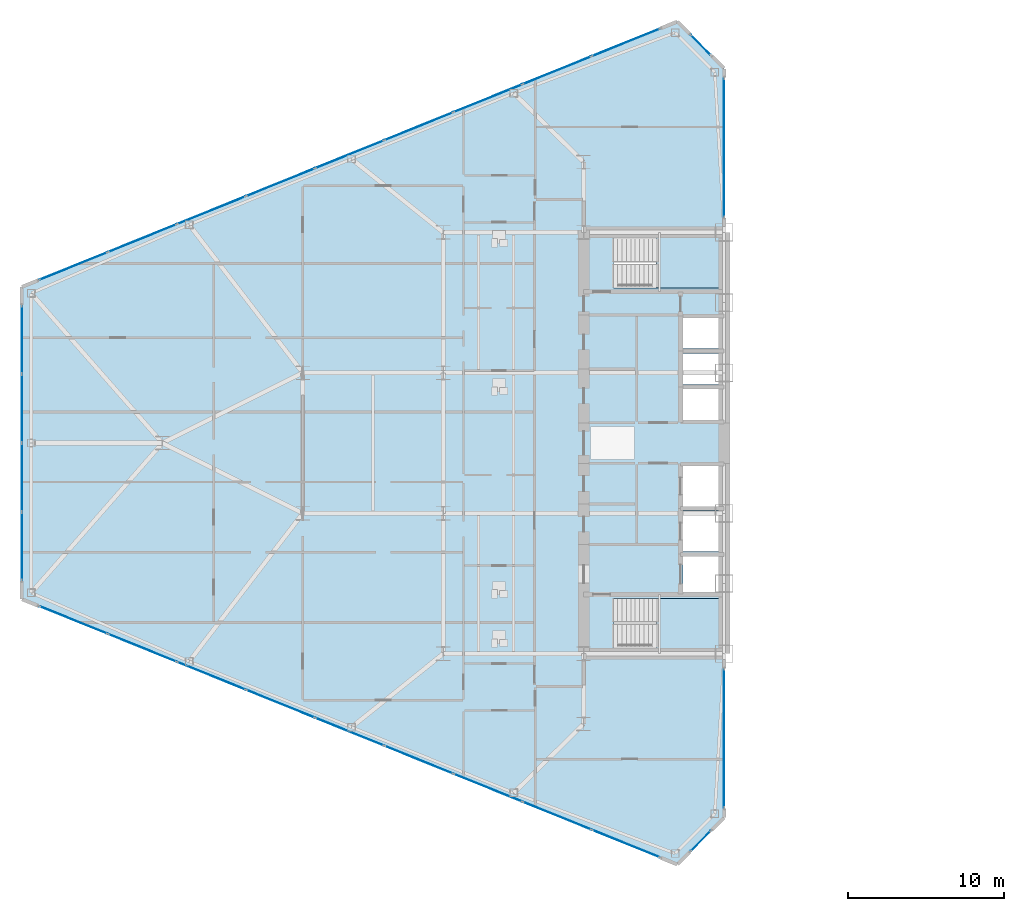
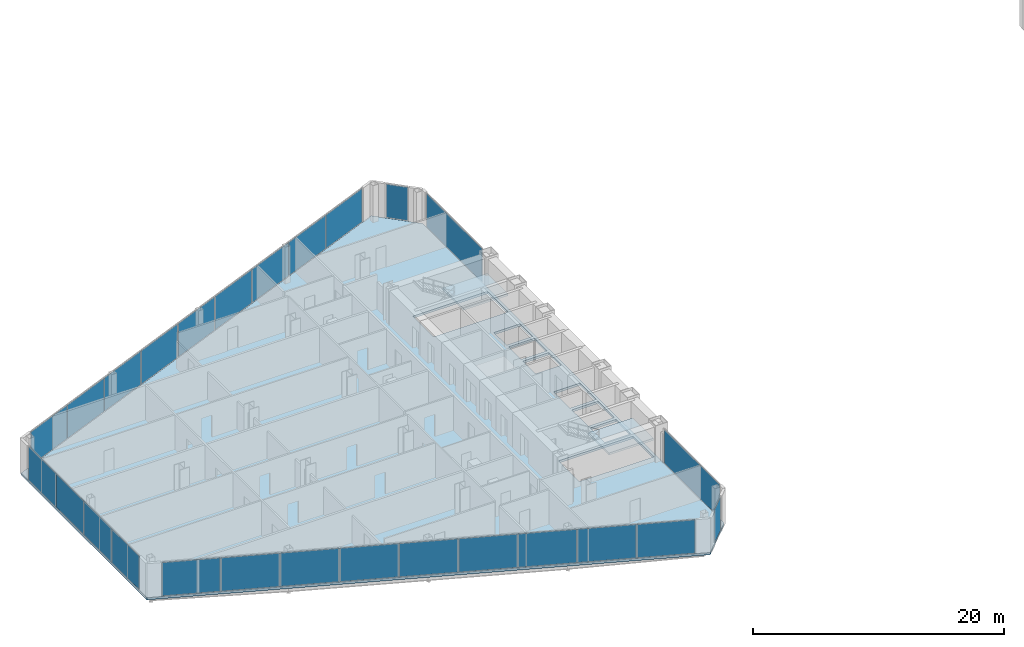
# One storey, part 15 of 25: 26 plates, 3 slabs, 9 elements without a shape of their own.
"""IFC4 building model written with IfcOpenShell, lengths in metres."""

from ifc_helpers import new_model, si_unit, direction, frame, origin, origin_2d, place, context, subcontext, project, spatial, polyline, rectangle, outline, extrude, source, transform, mapped, material, layer, layer_set, type_object, type_shapes, element, aggregate, save


model = new_model("IFC4")

# Units and contexts
model_context = context("Model", 3, precision=1e-05, world=origin(), true_north=direction((0.0, 1.0)))
body_context = subcontext(model_context, "Body", "Model", "MODEL_VIEW")
ifc_project = project(units=[si_unit("LENGTHUNIT", "METRE"), si_unit("AREAUNIT", "SQUARE_METRE"), si_unit("VOLUMEUNIT", "CUBIC_METRE"), si_unit("PLANEANGLEUNIT", "RADIAN"), si_unit("MASSUNIT", "GRAM", prefix="KILO")], contexts=[model_context])

# Site, building, storey
site_placement = place(None, origin())
site = spatial("IfcSite", under=ifc_project, at=site_placement, CompositionType="ELEMENT")
building_placement = place(site_placement, origin())
building = spatial("IfcBuilding", under=site, at=building_placement, Name="Seokmaru Belvedere", CompositionType="ELEMENT")
storey_placement = place(building_placement, frame((0.0, 0.0, 29.699951171875)))
storey = spatial("IfcBuildingStorey", under=building, at=storey_placement, Name="L07", CompositionType="ELEMENT", Elevation=29.699951171875)

# Stair, slab
ifc_material_1 = material(Name="Concrete C40 (40 MPa)", Category="concrete")
stair_type = type_object("IfcStairType", Name="Typical Tower Core Dog-Leg Stair 3600", PredefinedType="TWO_STRAIGHT_RUN_STAIR", material=ifc_material_1)
stair_1_placement = place(storey_placement, origin())
stair_1 = element("IfcStair", 1, at=stair_1_placement, inside=storey, type_object=stair_type, Name="L07 Special Escape Stair ST-W1", PredefinedType="TWO_STRAIGHT_RUN_STAIR")
ifc_layer_1 = layer(ifc_material_1, 0.199951171875)
ifc_layer_set_1 = layer_set([ifc_layer_1], Name="Concrete C40 (40 MPa)")
slab_type_1 = type_object("IfcSlabType", Name="Reinforced Concrete Stair Landing Slab 200", PredefinedType="LANDING", material=ifc_layer_set_1)
slab_1_placement = place(storey_placement, frame((0.0, 0.0, 1.60009765625)))
slab_1 = element("IfcSlab", 2, at=slab_1_placement, type_object=slab_type_1, Name="ST-W1 landing 1", PredefinedType="LANDING", context=body_context, shape_type="SweptSolid", body=[
    extrude(outline(polyline([(-31.8798828125, -13.239990234375), (-27.760009765625, -13.239990234375), (-27.760009765625, -9.949951171875), (-31.8798828125, -9.949951171875), (-31.8798828125, -13.239990234375)])), origin(), (0.0, 0.0, 1.0), 0.199951171875),
])
aggregate(stair_1, [slab_1])

stair_2_placement = place(storey_placement, origin())
stair_2 = element("IfcStair", 3, at=stair_2_placement, inside=storey, type_object=stair_type, Name="L07 Special Escape Stair ST-W2", PredefinedType="TWO_STRAIGHT_RUN_STAIR")
slab_2_placement = place(storey_placement, frame((0.0, 0.0, 1.60009765625)))
slab_2 = element("IfcSlab", 4, at=slab_2_placement, type_object=slab_type_1, Name="ST-W2 landing 1", PredefinedType="LANDING", context=body_context, shape_type="SweptSolid", body=[
    extrude(outline(polyline([(-31.8798828125, 9.949951171875), (-27.760009765625, 9.949951171875), (-27.760009765625, 13.239990234375), (-31.8798828125, 13.239990234375), (-31.8798828125, 9.949951171875)])), origin(), (0.0, 0.0, 1.0), 0.199951171875),
])
aggregate(stair_2, [slab_2])

# Slab
ifc_layer_2 = layer(ifc_material_1, 0.219970703125)
ifc_layer_set_2 = layer_set([ifc_layer_2], Name="Concrete C40 (40 MPa)")
slab_type_2 = type_object("IfcSlabType", Name="Typical Tower Composite Floor Slab 220", PredefinedType="FLOOR", material=ifc_layer_set_2)
slab_3_placement = place(storey_placement, frame((0.0, 0.0, -0.219970703125)))
element("IfcSlab", 5, at=slab_3_placement, inside=storey, type_object=slab_type_2, Name="L07 West Leg Floor Slab", PredefinedType="FLOOR", context=body_context, shape_type="SweptSolid", body=[
    extrude(outline(polyline([(-27.5, -24.0), (-27.5, 24.0), (-30.5, 27.0), (-72.5, 10.0), (-72.5, -10.0), (-30.5, -27.0), (-27.5, -24.0)]), holes=[polyline([(-34.60009765625, -13.25), (-27.75, -13.25), (-27.75, -9.949951171875), (-34.60009765625, -9.949951171875), (-34.60009765625, -13.25)]), polyline([(-34.60009765625, 9.949951171875), (-27.75, 9.949951171875), (-27.75, 13.25), (-34.60009765625, 13.25), (-34.60009765625, 9.949951171875)]), polyline([(-30.14990234375, -9.550048828125), (-27.75, -9.550048828125), (-27.75, -7.25), (-30.14990234375, -7.25), (-30.14990234375, -9.550048828125)]), polyline([(-30.14990234375, -6.949951171875), (-27.75, -6.949951171875), (-27.75, -4.35009765625), (-30.14990234375, -4.35009765625), (-30.14990234375, -6.949951171875)]), polyline([(-30.14990234375, -4.050048828125), (-27.75, -4.050048828125), (-27.75, -1.449951171875), (-30.14990234375, -1.449951171875), (-30.14990234375, -4.050048828125)]), polyline([(-30.14990234375, 1.449951171875), (-27.75, 1.449951171875), (-27.75, 3.449951171875), (-30.14990234375, 3.449951171875), (-30.14990234375, 1.449951171875)]), polyline([(-30.14990234375, 3.75), (-27.75, 3.75), (-27.75, 5.75), (-30.14990234375, 5.75), (-30.14990234375, 3.75)]), polyline([(-30.14990234375, 6.050048828125), (-27.75, 6.050048828125), (-27.75, 8.050048828125), (-30.14990234375, 8.050048828125), (-30.14990234375, 6.050048828125)])]), origin(), (0.0, 0.0, 1.0), 0.219970703125),
])

# Curtain wall, plate
ifc_material_2 = material(Name="Bronze Triple Insulating Glass", Category="glass")
ifc_layer_3 = layer(ifc_material_2, 0.2099609375)
ifc_layer_set_3 = layer_set([ifc_layer_3], Name="Bronze Triple Insulating Glass")
curtain_wall_type = type_object("IfcCurtainWallType", Name="Low-Rise Faceted Crystal Curtain Wall System CW-2", PredefinedType="NOTDEFINED", material=ifc_layer_set_3)
curtain_wall_1_placement = place(storey_placement, origin())
curtain_wall_1 = element("IfcCurtainWall", 6, at=curtain_wall_1_placement, inside=storey, type_object=curtain_wall_type, Name="L07 Curtain Wall WSP_1", PredefinedType="NOTDEFINED")
ifc_layer_4 = layer(ifc_material_2, 0.035888671875)
ifc_layer_set_4 = layer_set([ifc_layer_4], Name="Bronze Triple Insulating Glass")
plate_type = type_object("IfcPlateType", Name="Bronze Triple Vision Glazing Panel 36", PredefinedType="CURTAIN_PANEL", material=ifc_layer_set_4)
shared_shape_1 = source(origin(), body_context, "Body", "SweptSolid", [
    extrude(rectangle(XDim=8.85009765625, YDim=0.035888671875, at=origin_2d()), origin(), (0.0, 0.0, 1.0), 3.239990234375),
])
plate_1_placement = place(storey_placement, frame((-27.5, -18.929931640625, 0.06982421875), z_axis=(0.0, 0.0, 1.0), x_axis=(0.0, 1.0, 0.0)))
plate_1 = element("IfcPlate", 7, at=plate_1_placement, type_object=plate_type, Name="CW:L07:WSP_1 Glazing Panel 1-1", PredefinedType="CURTAIN_PANEL", context=body_context, shape_type="MappedRepresentation", body=[
    mapped(shared_shape_1, transform((0.0, 0.0, 0.0), scale=1.0)),
])
aggregate(curtain_wall_1, [plate_1])

curtain_wall_2_placement = place(storey_placement, origin())
curtain_wall_2 = element("IfcCurtainWall", 8, at=curtain_wall_2_placement, inside=storey, type_object=curtain_wall_type, Name="L07 Curtain Wall WSP_2", PredefinedType="NOTDEFINED")
plate_2_placement = place(storey_placement, frame((-27.5, 18.929931640625, 0.06982421875), z_axis=(0.0, 0.0, 1.0), x_axis=(0.0, 1.0, 0.0)))
plate_2 = element("IfcPlate", 9, at=plate_2_placement, type_object=plate_type, Name="CW:L07:WSP_2 Glazing Panel 1-1", PredefinedType="CURTAIN_PANEL", context=body_context, shape_type="MappedRepresentation", body=[
    mapped(shared_shape_1, transform((0.0, 0.0, 0.0), scale=1.0)),
])
aggregate(curtain_wall_2, [plate_2])

curtain_wall_3_placement = place(storey_placement, origin())
curtain_wall_3 = element("IfcCurtainWall", 10, at=curtain_wall_3_placement, inside=storey, type_object=curtain_wall_type, Name="L07 Curtain Wall WF2", PredefinedType="NOTDEFINED")
shared_shape_2 = source(origin(), body_context, "Body", "SweptSolid", [
    extrude(rectangle(XDim=1.79248046875, YDim=0.035888671875, at=origin_2d()), origin(), (0.0, 0.0, 1.0), 3.239990234375),
])
plate_3_placement = place(storey_placement, frame((-29.0, 25.5, 0.06982421875), z_axis=(0.0, 0.0, 1.0), x_axis=(-0.707106781187, 0.707106781187, 0.0)))
plate_3 = element("IfcPlate", 11, at=plate_3_placement, type_object=plate_type, Name="CW:L07:WF2 Glazing Panel 1-1", PredefinedType="CURTAIN_PANEL", context=body_context, shape_type="MappedRepresentation", body=[
    mapped(shared_shape_2, transform((0.0, 0.0, 0.0), scale=1.0)),
])
aggregate(curtain_wall_3, [plate_3])

curtain_wall_4_placement = place(storey_placement, origin())
curtain_wall_4 = element("IfcCurtainWall", 12, at=curtain_wall_4_placement, inside=storey, type_object=curtain_wall_type, Name="L07 Curtain Wall WF6", PredefinedType="NOTDEFINED")
plate_4_placement = place(storey_placement, frame((-29.0, -25.5, 0.06982421875), z_axis=(0.0, 0.0, 1.0), x_axis=(0.707106781187, 0.707106781187, 0.0)))
plate_4 = element("IfcPlate", 13, at=plate_4_placement, type_object=plate_type, Name="CW:L07:WF6 Glazing Panel 1-1", PredefinedType="CURTAIN_PANEL", context=body_context, shape_type="MappedRepresentation", body=[
    mapped(shared_shape_2, transform((0.0, 0.0, 0.0), scale=1.0)),
])
aggregate(curtain_wall_4, [plate_4])

# Curtain wall, plates
curtain_wall_5_placement = place(storey_placement, origin())
curtain_wall_5 = element("IfcCurtainWall", 14, at=curtain_wall_5_placement, inside=storey, type_object=curtain_wall_type, Name="L07 Curtain Wall WF3", PredefinedType="NOTDEFINED")
shared_shape_3 = source(origin(), body_context, "Body", "SweptSolid", [
    extrude(rectangle(XDim=4.66650390625, YDim=0.035888671875, at=origin_2d()), origin(), (0.0, 0.0, 1.0), 3.239990234375),
])
plate_5_placement = place(storey_placement, frame((-33.79833984375, 25.6650390625, 0.06982421875), z_axis=(0.0, 0.0, 1.0), x_axis=(-0.926946989637, -0.375192321888, 0.0)))
plate_5 = element("IfcPlate", 15, at=plate_5_placement, type_object=plate_type, Name="CW:L07:WF3 Glazing Panel 1-1", PredefinedType="CURTAIN_PANEL", context=body_context, shape_type="MappedRepresentation", body=[
    mapped(shared_shape_3, transform((0.0, 0.0, 0.0), scale=1.0)),
])
plate_6_placement = place(storey_placement, frame((-69.20166015625, 11.3349609375, 0.06982421875), z_axis=(0.0, 0.0, 1.0), x_axis=(-0.926946989637, -0.375192321888, 0.0)))
plate_6 = element("IfcPlate", 16, at=plate_6_placement, type_object=plate_type, Name="CW:L07:WF3 Glazing Panel 9-1", PredefinedType="CURTAIN_PANEL", context=body_context, shape_type="MappedRepresentation", body=[
    mapped(shared_shape_3, transform((0.0, 0.0, 0.0), scale=1.0)),
])

curtain_wall_6_placement = place(storey_placement, origin())
curtain_wall_6 = element("IfcCurtainWall", 17, at=curtain_wall_6_placement, inside=storey, type_object=curtain_wall_type, Name="L07 Curtain Wall WF5", PredefinedType="NOTDEFINED")
plate_7_placement = place(storey_placement, frame((-69.20166015625, -11.3349609375, 0.06982421875), z_axis=(0.0, 0.0, 1.0), x_axis=(0.926946989637, -0.375192321888, 0.0)))
plate_7 = element("IfcPlate", 18, at=plate_7_placement, type_object=plate_type, Name="CW:L07:WF5 Glazing Panel 1-1", PredefinedType="CURTAIN_PANEL", context=body_context, shape_type="MappedRepresentation", body=[
    mapped(shared_shape_3, transform((0.0, 0.0, 0.0), scale=1.0)),
])
plate_8_placement = place(storey_placement, frame((-33.79833984375, -25.6650390625, 0.06982421875), z_axis=(0.0, 0.0, 1.0), x_axis=(0.926946989637, -0.375192321888, 0.0)))
plate_8 = element("IfcPlate", 19, at=plate_8_placement, type_object=plate_type, Name="CW:L07:WF5 Glazing Panel 9-1", PredefinedType="CURTAIN_PANEL", context=body_context, shape_type="MappedRepresentation", body=[
    mapped(shared_shape_3, transform((0.0, 0.0, 0.0), scale=1.0)),
])

# Plate
shared_shape_4 = source(origin(), body_context, "Body", "SweptSolid", [
    extrude(rectangle(XDim=4.703857421875, YDim=0.035888671875, at=origin_2d()), origin(), (0.0, 0.0, 1.0), 3.239990234375),
])
plate_9_placement = place(storey_placement, frame((-38.210693359375, 23.87890625, 0.06982421875), z_axis=(0.0, 0.0, 1.0), x_axis=(-0.926946989637, -0.375192321888, 0.0)))
plate_9 = element("IfcPlate", 20, at=plate_9_placement, type_object=plate_type, Name="CW:L07:WF3 Glazing Panel 2-1", PredefinedType="CURTAIN_PANEL", context=body_context, shape_type="MappedRepresentation", body=[
    mapped(shared_shape_4, transform((0.0, 0.0, 0.0), scale=1.0)),
])

plate_10_placement = place(storey_placement, frame((-42.640380859375, 22.0859375, 0.06982421875), z_axis=(0.0, 0.0, 1.0), x_axis=(-0.926946989637, -0.375192321888, 0.0)))
plate_10 = element("IfcPlate", 21, at=plate_10_placement, type_object=plate_type, Name="CW:L07:WF3 Glazing Panel 3-1", PredefinedType="CURTAIN_PANEL", context=body_context, shape_type="MappedRepresentation", body=[
    mapped(shared_shape_4, transform((0.0, 0.0, 0.0), scale=1.0)),
])

plate_11_placement = place(storey_placement, frame((-47.0703125, 20.29296875, 0.06982421875), z_axis=(0.0, 0.0, 1.0), x_axis=(-0.926946989637, -0.375192321888, 0.0)))
plate_11 = element("IfcPlate", 22, at=plate_11_placement, type_object=plate_type, Name="CW:L07:WF3 Glazing Panel 4-1", PredefinedType="CURTAIN_PANEL", context=body_context, shape_type="MappedRepresentation", body=[
    mapped(shared_shape_4, transform((0.0, 0.0, 0.0), scale=1.0)),
])

plate_12_placement = place(storey_placement, frame((-51.5, 18.5, 0.06982421875), z_axis=(0.0, 0.0, 1.0), x_axis=(-0.926946989637, -0.375192321888, 0.0)))
plate_12 = element("IfcPlate", 23, at=plate_12_placement, type_object=plate_type, Name="CW:L07:WF3 Glazing Panel 5-1", PredefinedType="CURTAIN_PANEL", context=body_context, shape_type="MappedRepresentation", body=[
    mapped(shared_shape_4, transform((0.0, 0.0, 0.0), scale=1.0)),
])

plate_13_placement = place(storey_placement, frame((-55.9296875, 16.70703125, 0.06982421875), z_axis=(0.0, 0.0, 1.0), x_axis=(-0.926946989637, -0.375192321888, 0.0)))
plate_13 = element("IfcPlate", 24, at=plate_13_placement, type_object=plate_type, Name="CW:L07:WF3 Glazing Panel 6-1", PredefinedType="CURTAIN_PANEL", context=body_context, shape_type="MappedRepresentation", body=[
    mapped(shared_shape_4, transform((0.0, 0.0, 0.0), scale=1.0)),
])

plate_14_placement = place(storey_placement, frame((-60.359619140625, 14.9140625, 0.06982421875), z_axis=(0.0, 0.0, 1.0), x_axis=(-0.926946989637, -0.375192321888, 0.0)))
plate_14 = element("IfcPlate", 25, at=plate_14_placement, type_object=plate_type, Name="CW:L07:WF3 Glazing Panel 7-1", PredefinedType="CURTAIN_PANEL", context=body_context, shape_type="MappedRepresentation", body=[
    mapped(shared_shape_4, transform((0.0, 0.0, 0.0), scale=1.0)),
])

plate_15_placement = place(storey_placement, frame((-64.789306640625, 13.12109375, 0.06982421875), z_axis=(0.0, 0.0, 1.0), x_axis=(-0.926946989637, -0.375192321888, 0.0)))
plate_15 = element("IfcPlate", 26, at=plate_15_placement, type_object=plate_type, Name="CW:L07:WF3 Glazing Panel 8-1", PredefinedType="CURTAIN_PANEL", context=body_context, shape_type="MappedRepresentation", body=[
    mapped(shared_shape_4, transform((0.0, 0.0, 0.0), scale=1.0)),
])

aggregate(curtain_wall_5, [plate_5, plate_9, plate_10, plate_11, plate_12, plate_13, plate_14, plate_15, plate_6])

plate_16_placement = place(storey_placement, frame((-64.789306640625, -13.12109375, 0.06982421875), z_axis=(0.0, 0.0, 1.0), x_axis=(0.926946989637, -0.375192321888, 0.0)))
plate_16 = element("IfcPlate", 27, at=plate_16_placement, type_object=plate_type, Name="CW:L07:WF5 Glazing Panel 2-1", PredefinedType="CURTAIN_PANEL", context=body_context, shape_type="MappedRepresentation", body=[
    mapped(shared_shape_4, transform((0.0, 0.0, 0.0), scale=1.0)),
])

plate_17_placement = place(storey_placement, frame((-60.359619140625, -14.9140625, 0.06982421875), z_axis=(0.0, 0.0, 1.0), x_axis=(0.926946989637, -0.375192321888, 0.0)))
plate_17 = element("IfcPlate", 28, at=plate_17_placement, type_object=plate_type, Name="CW:L07:WF5 Glazing Panel 3-1", PredefinedType="CURTAIN_PANEL", context=body_context, shape_type="MappedRepresentation", body=[
    mapped(shared_shape_4, transform((0.0, 0.0, 0.0), scale=1.0)),
])

plate_18_placement = place(storey_placement, frame((-55.9296875, -16.70703125, 0.06982421875), z_axis=(0.0, 0.0, 1.0), x_axis=(0.926946989637, -0.375192321888, 0.0)))
plate_18 = element("IfcPlate", 29, at=plate_18_placement, type_object=plate_type, Name="CW:L07:WF5 Glazing Panel 4-1", PredefinedType="CURTAIN_PANEL", context=body_context, shape_type="MappedRepresentation", body=[
    mapped(shared_shape_4, transform((0.0, 0.0, 0.0), scale=1.0)),
])

plate_19_placement = place(storey_placement, frame((-51.5, -18.5, 0.06982421875), z_axis=(0.0, 0.0, 1.0), x_axis=(0.926946989637, -0.375192321888, 0.0)))
plate_19 = element("IfcPlate", 30, at=plate_19_placement, type_object=plate_type, Name="CW:L07:WF5 Glazing Panel 5-1", PredefinedType="CURTAIN_PANEL", context=body_context, shape_type="MappedRepresentation", body=[
    mapped(shared_shape_4, transform((0.0, 0.0, 0.0), scale=1.0)),
])

plate_20_placement = place(storey_placement, frame((-47.0703125, -20.29296875, 0.06982421875), z_axis=(0.0, 0.0, 1.0), x_axis=(0.926946989637, -0.375192321888, 0.0)))
plate_20 = element("IfcPlate", 31, at=plate_20_placement, type_object=plate_type, Name="CW:L07:WF5 Glazing Panel 6-1", PredefinedType="CURTAIN_PANEL", context=body_context, shape_type="MappedRepresentation", body=[
    mapped(shared_shape_4, transform((0.0, 0.0, 0.0), scale=1.0)),
])

plate_21_placement = place(storey_placement, frame((-42.640380859375, -22.0859375, 0.06982421875), z_axis=(0.0, 0.0, 1.0), x_axis=(0.926946989637, -0.375192321888, 0.0)))
plate_21 = element("IfcPlate", 32, at=plate_21_placement, type_object=plate_type, Name="CW:L07:WF5 Glazing Panel 7-1", PredefinedType="CURTAIN_PANEL", context=body_context, shape_type="MappedRepresentation", body=[
    mapped(shared_shape_4, transform((0.0, 0.0, 0.0), scale=1.0)),
])

plate_22_placement = place(storey_placement, frame((-38.210693359375, -23.87890625, 0.06982421875), z_axis=(0.0, 0.0, 1.0), x_axis=(0.926946989637, -0.375192321888, 0.0)))
plate_22 = element("IfcPlate", 33, at=plate_22_placement, type_object=plate_type, Name="CW:L07:WF5 Glazing Panel 8-1", PredefinedType="CURTAIN_PANEL", context=body_context, shape_type="MappedRepresentation", body=[
    mapped(shared_shape_4, transform((0.0, 0.0, 0.0), scale=1.0)),
])

aggregate(curtain_wall_6, [plate_7, plate_16, plate_17, plate_18, plate_19, plate_20, plate_21, plate_22, plate_8])

# Curtain wall, plates
curtain_wall_7_placement = place(storey_placement, origin())
curtain_wall_7 = element("IfcCurtainWall", 34, at=curtain_wall_7_placement, inside=storey, type_object=curtain_wall_type, Name="L07 Curtain Wall WF4", PredefinedType="NOTDEFINED")
shared_shape_5 = source(origin(), body_context, "Body", "SweptSolid", [
    extrude(rectangle(XDim=4.3125, YDim=0.035888671875, at=origin_2d()), origin(), (0.0, 0.0, 1.0), 3.239990234375),
])
plate_23_placement = place(storey_placement, frame((-72.5, 6.61865234375, 0.06982421875), z_axis=(0.0, 0.0, 1.0), x_axis=(0.0, -1.0, 0.0)))
plate_23 = element("IfcPlate", 35, at=plate_23_placement, type_object=plate_type, Name="CW:L07:WF4 Glazing Panel 1-1", PredefinedType="CURTAIN_PANEL", context=body_context, shape_type="MappedRepresentation", body=[
    mapped(shared_shape_5, transform((0.0, 0.0, 0.0), scale=1.0)),
])
plate_24_placement = place(storey_placement, frame((-72.5, -6.61865234375, 0.06982421875), z_axis=(0.0, 0.0, 1.0), x_axis=(0.0, -1.0, 0.0)))
plate_24 = element("IfcPlate", 36, at=plate_24_placement, type_object=plate_type, Name="CW:L07:WF4 Glazing Panel 4-1", PredefinedType="CURTAIN_PANEL", context=body_context, shape_type="MappedRepresentation", body=[
    mapped(shared_shape_5, transform((0.0, 0.0, 0.0), scale=1.0)),
])
shared_shape_6 = source(origin(), body_context, "Body", "SweptSolid", [
    extrude(rectangle(XDim=4.35009765625, YDim=0.035888671875, at=origin_2d()), origin(), (0.0, 0.0, 1.0), 3.239990234375),
])
type_shapes(plate_type, [shared_shape_1, shared_shape_2, shared_shape_3, shared_shape_4, shared_shape_5, shared_shape_6])
plate_25_placement = place(storey_placement, frame((-72.5, 2.21240234375, 0.06982421875), z_axis=(0.0, 0.0, 1.0), x_axis=(0.0, -1.0, 0.0)))
plate_25 = element("IfcPlate", 37, at=plate_25_placement, type_object=plate_type, Name="CW:L07:WF4 Glazing Panel 2-1", PredefinedType="CURTAIN_PANEL", context=body_context, shape_type="MappedRepresentation", body=[
    mapped(shared_shape_6, transform((0.0, 0.0, 0.0), scale=1.0)),
])
plate_26_placement = place(storey_placement, frame((-72.5, -2.21240234375, 0.06982421875), z_axis=(0.0, 0.0, 1.0), x_axis=(0.0, -1.0, 0.0)))
plate_26 = element("IfcPlate", 38, at=plate_26_placement, type_object=plate_type, Name="CW:L07:WF4 Glazing Panel 3-1", PredefinedType="CURTAIN_PANEL", context=body_context, shape_type="MappedRepresentation", body=[
    mapped(shared_shape_6, transform((0.0, 0.0, 0.0), scale=1.0)),
])
aggregate(curtain_wall_7, [plate_23, plate_25, plate_26, plate_24])

save(model, "model.ifc")
